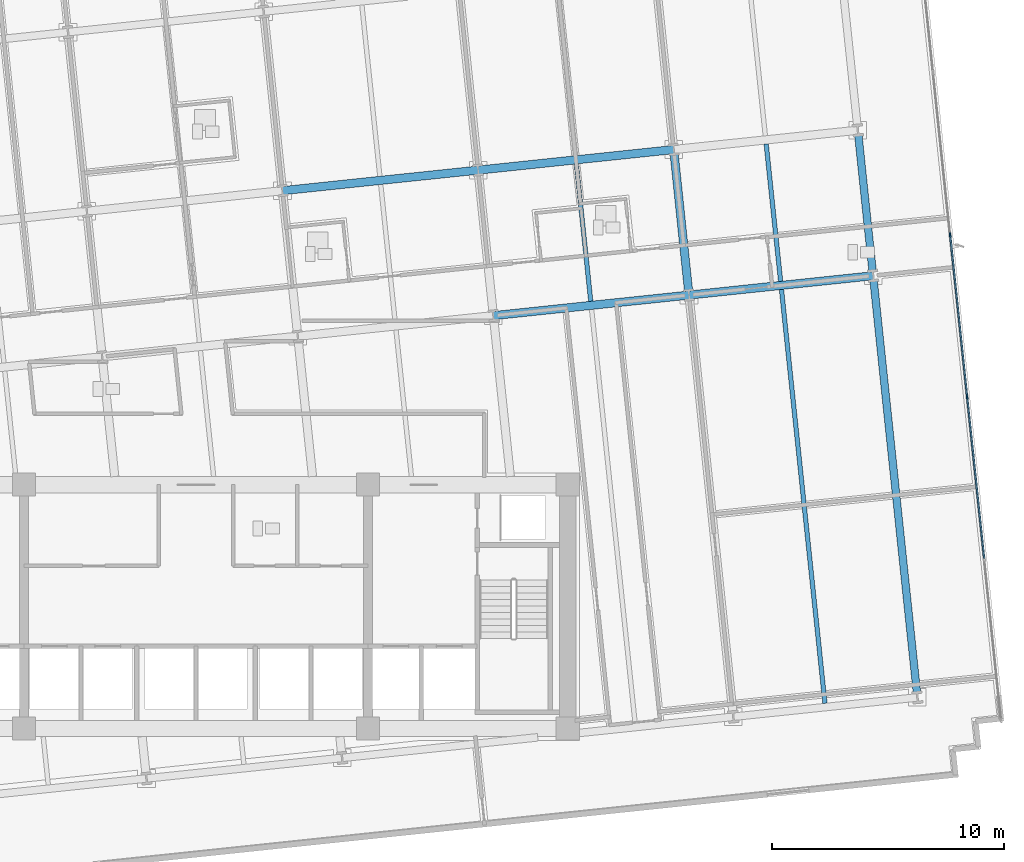
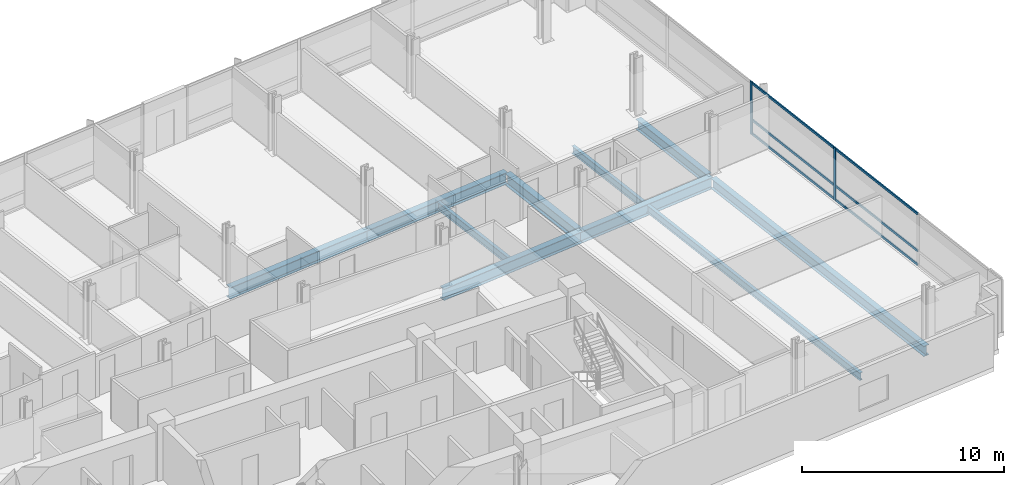
# One storey, part 5 of 20: 10 beams, 8 members, 1 element without a shape of its own.
"""IFC4 building model written with IfcOpenShell, lengths in metres."""

from ifc_helpers import new_model, si_unit, direction, frame, origin, origin_2d, place, context, subcontext, project, spatial, rectangle, i_section, extrude, material, material_profile, profile_set, type_object, element, aggregate, save


model = new_model("IFC4")

# Units and contexts
model_context = context("Model", 3, precision=1e-05, world=origin(), true_north=direction((0.0, 1.0)))
body_context = subcontext(model_context, "Body", "Model", "MODEL_VIEW")
ifc_project = project(units=[si_unit("LENGTHUNIT", "METRE"), si_unit("AREAUNIT", "SQUARE_METRE"), si_unit("VOLUMEUNIT", "CUBIC_METRE"), si_unit("PLANEANGLEUNIT", "RADIAN"), si_unit("MASSUNIT", "GRAM", prefix="KILO")], contexts=[model_context])

# Site, building, storey
site_placement = place(None, origin())
site = spatial("IfcSite", under=ifc_project, at=site_placement, CompositionType="ELEMENT")
building_placement = place(site_placement, origin())
building = spatial("IfcBuilding", under=site, at=building_placement, Name="Solmavex Isthmus Hotel", CompositionType="ELEMENT")
storey_placement = place(building_placement, frame((0.0, 0.0, 87.0)))
storey = spatial("IfcBuildingStorey", under=building, at=storey_placement, Name="L23", CompositionType="ELEMENT", Elevation=87.0)

# Beams
ifc_material_1 = material(Name="Steel ASTM A992 Grade 50", Category="steel")
ifc_material_profile_1 = material_profile(ifc_material_1, i_section(OverallWidth=0.354736328125, OverallDepth=0.695556640625, WebThickness=0.015380859375, FlangeThickness=0.02490234375, FilletRadius=0.017822265625, at=origin_2d()), Name="W27X146")
ifc_profile_set_1 = profile_set([ifc_material_profile_1], Name="Steel ASTM A992 Grade 50")
beam_type_1 = type_object("IfcBeamType", Name="BM-BG-W27X146", PredefinedType="BEAM", material=ifc_profile_set_1)
beam_1_placement = place(storey_placement, frame((12.800048828125, 4.7734375, -0.607666015625), z_axis=(0.994521085209, 0.104536171134, 0.0), x_axis=(-0.104536171134, 0.994521085209, 0.0)))
element("IfcBeam", 1, at=beam_1_placement, inside=storey, type_object=beam_type_1, Name="Floor Girder L23-UG11", PredefinedType="BEAM", context=body_context, shape_type="SweptSolid", body=[
    extrude(i_section(OverallWidth=0.354736328125, OverallDepth=0.695556640625, WebThickness=0.015380859375, FlangeThickness=0.02490234375, FilletRadius=0.017822265625, at=origin_2d()), origin(), (0.0, 0.0, 1.0), 8.466064453125),
])
beam_2_placement = place(storey_placement, frame((21.2197265625, 5.658447265625, -0.607666015625), z_axis=(0.994523402738, 0.104514120609, 0.0), x_axis=(-0.104514120609, 0.994523402738, 0.0)))
element("IfcBeam", 2, at=beam_2_placement, inside=storey, type_object=beam_type_1, Name="Floor Girder L23-UG12", PredefinedType="BEAM", context=body_context, shape_type="SweptSolid", body=[
    extrude(i_section(OverallWidth=0.354736328125, OverallDepth=0.695556640625, WebThickness=0.015380859375, FlangeThickness=0.02490234375, FilletRadius=0.017822265625, at=origin_2d()), origin(), (0.0, 0.0, 1.0), 7.968017578125),
])
for number, where, z_axis, x_axis, name in (
    (3, (3.72216796875, 10.152099609375, -0.607666015625), (0.994524082861, 0.104507648572, 0.0), (-0.104507648572, 0.994524082861, 0.0), "Floor Girder L23-UG16"),
    (4, (12.141845703125, 11.036865234375, -0.607666015625), (0.994521085209, 0.104536171134, 0.0), (-0.104536171134, 0.994521085209, 0.0), "Floor Girder L23-UG17"),
):
    element("IfcBeam", number, at=place(storey_placement, frame(where, z_axis=z_axis, x_axis=x_axis)), inside=storey, type_object=beam_type_1, Name=name, PredefinedType="BEAM", context=body_context, shape_type="SweptSolid", body=[
        extrude(i_section(OverallWidth=0.354736328125, OverallDepth=0.695556640625, WebThickness=0.015380859375, FlangeThickness=0.02490234375, FilletRadius=0.017822265625, at=origin_2d()), origin(), (0.0, 0.0, 1.0), 8.466064453125),
    ])
beam_3_placement = place(storey_placement, frame((21.201171875, 5.834716796875, -0.607666015625), z_axis=(-0.104505160346, 0.994524344328, 0.0), x_axis=(-0.994524344328, -0.104505160346, 0.0)))
element("IfcBeam", 5, at=beam_3_placement, inside=storey, type_object=beam_type_1, Name="Floor Beam L23-VG44", PredefinedType="BEAM", context=body_context, shape_type="SweptSolid", body=[
    extrude(i_section(OverallWidth=0.354736328125, OverallDepth=0.695556640625, WebThickness=0.015380859375, FlangeThickness=0.02490234375, FilletRadius=0.017822265625, at=origin_2d()), origin(), (0.0, 0.0, 1.0), 5.943115234375),
])
ifc_material_profile_2 = material_profile(ifc_material_1, i_section(OverallWidth=0.1904296875, OverallDepth=0.456787109375, WebThickness=0.009033203125, FlangeThickness=0.014404296875, FilletRadius=0.0126953125, at=origin_2d()), Name="W18X50")
ifc_profile_set_2 = profile_set([ifc_material_profile_2], Name="Steel ASTM A992 Grade 50")
beam_type_2 = type_object("IfcBeamType", Name="BM-BJ-W18X50", PredefinedType="JOIST", material=ifc_profile_set_2)
beam_4_placement = place(storey_placement, frame((16.991455078125, 5.392333984375, -0.488525390625), z_axis=(-0.104545790518, 0.994520074048, 0.0), x_axis=(-0.994520074048, -0.104545790518, 0.0)))
element("IfcBeam", 6, at=beam_4_placement, inside=storey, type_object=beam_type_2, Name="Secondary Floor Joist L23-J17", PredefinedType="JOIST", context=body_context, shape_type="SweptSolid", body=[
    extrude(i_section(OverallWidth=0.1904296875, OverallDepth=0.456787109375, WebThickness=0.009033203125, FlangeThickness=0.014404296875, FilletRadius=0.0126953125, at=origin_2d()), origin(), (0.0, 0.0, 1.0), 5.943115234375),
])
beam_5_placement = place(storey_placement, frame((27.072509765625, -11.912841796875, -0.488525390625), z_axis=(-0.104530088192, 0.99452172458, 0.0), x_axis=(-0.99452172458, -0.104530088192, 0.0)))
element("IfcBeam", 7, at=beam_5_placement, inside=storey, type_object=beam_type_2, Name="Secondary Floor Joist L23-J19", PredefinedType="JOIST", context=body_context, shape_type="SweptSolid", body=[
    extrude(i_section(OverallWidth=0.1904296875, OverallDepth=0.456787109375, WebThickness=0.009033203125, FlangeThickness=0.014404296875, FilletRadius=0.0126953125, at=origin_2d()), origin(), (0.0, 0.0, 1.0), 17.909423828125),
])
beam_6_placement = place(storey_placement, frame((25.163330078125, 6.251220703125, -0.488525390625), z_axis=(-0.104505160346, 0.994524344328, 0.0), x_axis=(-0.994524344328, -0.104505160346, 0.0)))
element("IfcBeam", 8, at=beam_6_placement, inside=storey, type_object=beam_type_2, Name="Secondary Floor Joist L23-J20", PredefinedType="JOIST", context=body_context, shape_type="SweptSolid", body=[
    extrude(i_section(OverallWidth=0.1904296875, OverallDepth=0.456787109375, WebThickness=0.009033203125, FlangeThickness=0.014404296875, FilletRadius=0.0126953125, at=origin_2d()), origin(), (0.0, 0.0, 1.0), 5.943115234375),
])
ifc_material_profile_3 = material_profile(ifc_material_1, i_section(OverallWidth=0.326416015625, OverallDepth=0.621826171875, WebThickness=0.015380859375, FlangeThickness=0.0244140625, FilletRadius=0.01513671875, at=origin_2d()), Name="W24X131")
ifc_profile_set_3 = profile_set([ifc_material_profile_3], Name="Steel ASTM A992 Grade 50")
beam_type_3 = type_object("IfcBeamType", Name="BM-SP-W24X131", PredefinedType="SPANDREL", material=ifc_profile_set_3)
beam_7_placement = place(storey_placement, frame((31.03466796875, -11.496337890625, -0.57080078125), z_axis=(-0.104530088192, 0.99452172458, 0.0), x_axis=(-0.99452172458, -0.104530088192, 0.0)))
element("IfcBeam", 9, at=beam_7_placement, inside=storey, type_object=beam_type_3, Name="Floor Beam L23-VG46", PredefinedType="SPANDREL", context=body_context, shape_type="SweptSolid", body=[
    extrude(i_section(OverallWidth=0.326416015625, OverallDepth=0.621826171875, WebThickness=0.015380859375, FlangeThickness=0.0244140625, FilletRadius=0.01513671875, at=origin_2d()), origin(), (0.0, 0.0, 1.0), 17.909423828125),
])
beam_8_placement = place(storey_placement, frame((29.12548828125, 6.667724609375, -0.57080078125), z_axis=(-0.104505160346, 0.994524344328, 0.0), x_axis=(-0.994524344328, -0.104505160346, 0.0)))
element("IfcBeam", 10, at=beam_8_placement, inside=storey, type_object=beam_type_3, Name="Floor Beam L23-VG47", PredefinedType="SPANDREL", context=body_context, shape_type="SweptSolid", body=[
    extrude(i_section(OverallWidth=0.326416015625, OverallDepth=0.621826171875, WebThickness=0.015380859375, FlangeThickness=0.0244140625, FilletRadius=0.01513671875, at=origin_2d()), origin(), (0.0, 0.0, 1.0), 5.943115234375),
])

# Curtain wall, members
ifc_material_2 = material(Name="Aluminium alloy 6063-T6", Category="aluminium")
curtain_wall_type = type_object("IfcCurtainWallType", Name="CW-SYS-03", PredefinedType="NOTDEFINED", material=ifc_material_2)
curtain_wall_placement = place(storey_placement, origin())
curtain_wall = element("IfcCurtainWall", 11, at=curtain_wall_placement, inside=storey, type_object=curtain_wall_type, Name="Stick Curtain Wall CWL-L23-E1", PredefinedType="NOTDEFINED")
ifc_material_profile_4 = material_profile(ifc_material_2, rectangle(XDim=0.070068359375, YDim=0.179931640625, at=origin_2d()), Name="CWM-70X180")
ifc_profile_set_4 = profile_set([ifc_material_profile_4], Name="Aluminium alloy 6063-T6")
member_type_1 = type_object("IfcMemberType", Name="CW-SYS-03-MUL", PredefinedType="MULLION", material=ifc_profile_set_4)
member_1_placement = place(storey_placement, frame((33.19140625, 1.275634765625, 0.0), z_axis=(0.0, 0.0, 1.0), x_axis=(-0.994521893044, -0.104528485381, 0.0)))
member_1 = element("IfcMember", 12, at=member_1_placement, type_object=member_type_1, Name="CW-03 mullion 3", PredefinedType="MULLION", context=body_context, shape_type="SweptSolid", body=[
    extrude(rectangle(XDim=0.070068359375, YDim=0.179931640625, at=origin_2d()), origin(), (0.0, 0.0, 1.0), 3.18994140625),
])
member_2_placement = place(storey_placement, frame((32.45751953125, 8.25732421875, 0.0), z_axis=(0.0, 0.0, 1.0), x_axis=(-0.994521893044, -0.104528485381, 0.0)))
member_2 = element("IfcMember", 13, at=member_2_placement, type_object=member_type_1, Name="CW-03 mullion 4", PredefinedType="MULLION", context=body_context, shape_type="SweptSolid", body=[
    extrude(rectangle(XDim=0.070068359375, YDim=0.179931640625, at=origin_2d()), origin(), (0.0, 0.0, 1.0), 3.18994140625),
])
ifc_material_profile_5 = material_profile(ifc_material_2, rectangle(XDim=0.070068359375, YDim=0.139892578125, at=origin_2d()), Name="CWT-70X140")
ifc_profile_set_5 = profile_set([ifc_material_profile_5], Name="Aluminium alloy 6063-T6")
member_type_2 = type_object("IfcMemberType", Name="CW-SYS-03-TRN", PredefinedType="USERDEFINED", material=ifc_profile_set_5)
member_3_placement = place(storey_placement, frame((33.921630859375, -5.6708984375, 0.070068359375), z_axis=(-0.104542152467, 0.99452045648, 0.0), x_axis=(-0.99452045648, -0.104542152467, 0.0)))
member_3 = element("IfcMember", 14, at=member_3_placement, type_object=member_type_2, Name="CW-03 transom 2.1", ObjectType="TRANSOM", PredefinedType="USERDEFINED", context=body_context, shape_type="SweptSolid", body=[
    extrude(rectangle(XDim=0.070068359375, YDim=0.139892578125, at=origin_2d()), origin(), (0.0, 0.0, 1.0), 6.949951171875),
])
member_4_placement = place(storey_placement, frame((33.921630859375, -5.6708984375, 0.89990234375), z_axis=(-0.104542152467, 0.99452045648, 0.0), x_axis=(-0.99452045648, -0.104542152467, 0.0)))
member_4 = element("IfcMember", 15, at=member_4_placement, type_object=member_type_2, Name="CW-03 transom 2.2", ObjectType="TRANSOM", PredefinedType="USERDEFINED", context=body_context, shape_type="SweptSolid", body=[
    extrude(rectangle(XDim=0.070068359375, YDim=0.139892578125, at=origin_2d()), origin(), (0.0, 0.0, 1.0), 6.949951171875),
])
member_5_placement = place(storey_placement, frame((33.921630859375, -5.6708984375, 3.1201171875), z_axis=(-0.104542152467, 0.99452045648, 0.0), x_axis=(-0.99452045648, -0.104542152467, 0.0)))
member_5 = element("IfcMember", 16, at=member_5_placement, type_object=member_type_2, Name="CW-03 transom 2.3", ObjectType="TRANSOM", PredefinedType="USERDEFINED", context=body_context, shape_type="SweptSolid", body=[
    extrude(rectangle(XDim=0.070068359375, YDim=0.139892578125, at=origin_2d()), origin(), (0.0, 0.0, 1.0), 6.949951171875),
])
member_6_placement = place(storey_placement, frame((33.187744140625, 1.310546875, 0.070068359375), z_axis=(-0.104542152467, 0.99452045648, 0.0), x_axis=(-0.99452045648, -0.104542152467, 0.0)))
member_6 = element("IfcMember", 17, at=member_6_placement, type_object=member_type_2, Name="CW-03 transom 3.1", ObjectType="TRANSOM", PredefinedType="USERDEFINED", context=body_context, shape_type="SweptSolid", body=[
    extrude(rectangle(XDim=0.070068359375, YDim=0.139892578125, at=origin_2d()), origin(), (0.0, 0.0, 1.0), 6.949951171875),
])
member_7_placement = place(storey_placement, frame((33.187744140625, 1.310546875, 0.89990234375), z_axis=(-0.104542152467, 0.99452045648, 0.0), x_axis=(-0.99452045648, -0.104542152467, 0.0)))
member_7 = element("IfcMember", 18, at=member_7_placement, type_object=member_type_2, Name="CW-03 transom 3.2", ObjectType="TRANSOM", PredefinedType="USERDEFINED", context=body_context, shape_type="SweptSolid", body=[
    extrude(rectangle(XDim=0.070068359375, YDim=0.139892578125, at=origin_2d()), origin(), (0.0, 0.0, 1.0), 6.949951171875),
])
member_8_placement = place(storey_placement, frame((33.187744140625, 1.310546875, 3.1201171875), z_axis=(-0.104542152467, 0.99452045648, 0.0), x_axis=(-0.99452045648, -0.104542152467, 0.0)))
member_8 = element("IfcMember", 19, at=member_8_placement, type_object=member_type_2, Name="CW-03 transom 3.3", ObjectType="TRANSOM", PredefinedType="USERDEFINED", context=body_context, shape_type="SweptSolid", body=[
    extrude(rectangle(XDim=0.070068359375, YDim=0.139892578125, at=origin_2d()), origin(), (0.0, 0.0, 1.0), 6.949951171875),
])
aggregate(curtain_wall, [member_1, member_2, member_3, member_4, member_5, member_6, member_7, member_8])

save(model, "model.ifc")
